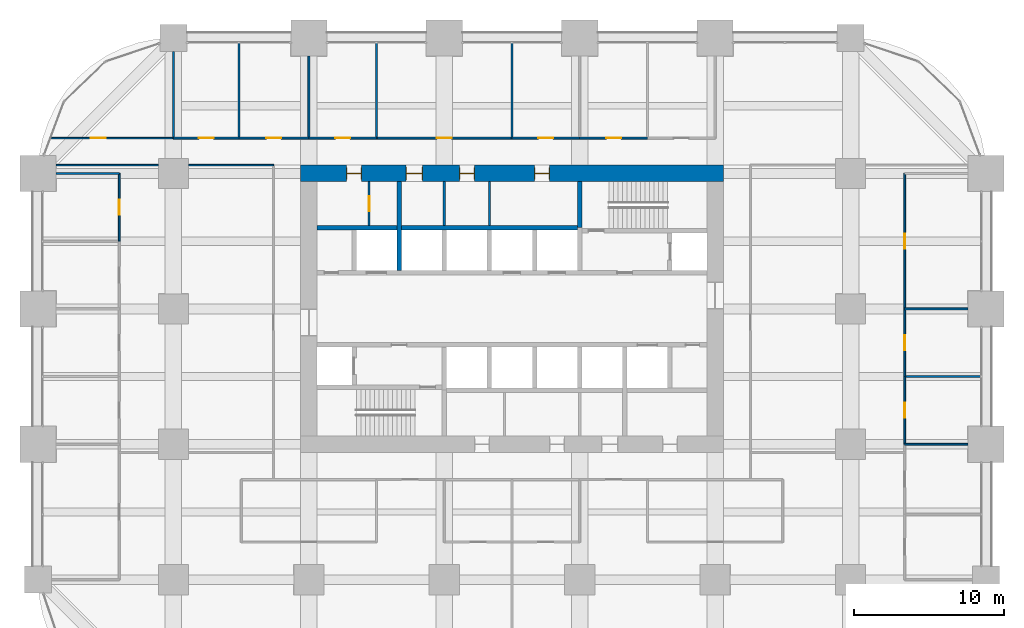
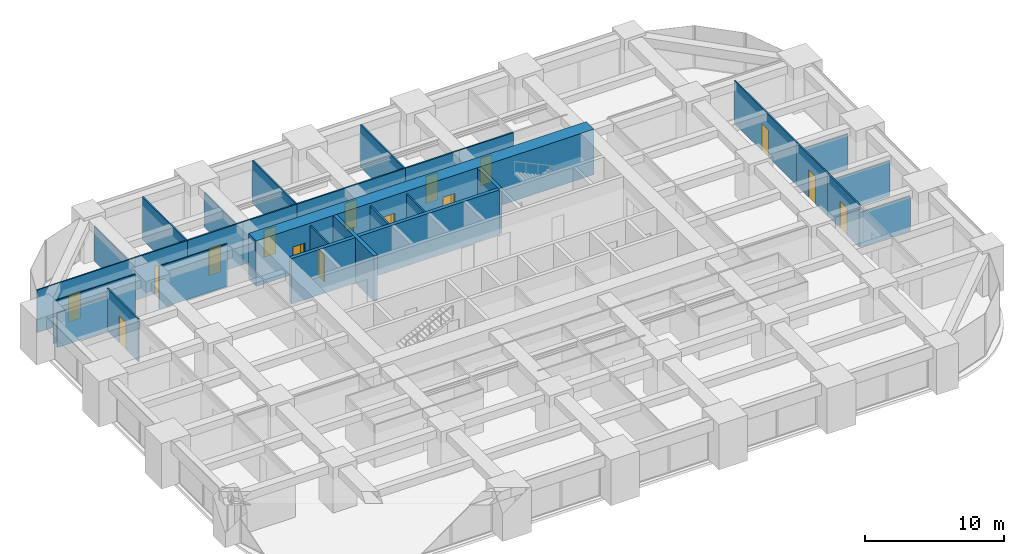
# One storey, part 38 of 41: 29 walls, 16 doors, 16 openings.
"""IFC4 building model written with IfcOpenShell, lengths in metres."""

from ifc_helpers import new_model, si_unit, direction, frame, frame_2d, origin, place, context, subcontext, project, spatial, rectangle, extrude, material, layer, layer_set, type_object, element, fill, save


model = new_model("IFC4")

# Units and contexts
model_context = context("Model", 3, precision=1e-05, world=origin(), true_north=direction((0.0, 1.0)))
body_context = subcontext(model_context, "Body", "Model", "MODEL_VIEW")
ifc_project = project(units=[si_unit("LENGTHUNIT", "METRE"), si_unit("AREAUNIT", "SQUARE_METRE"), si_unit("VOLUMEUNIT", "CUBIC_METRE"), si_unit("PLANEANGLEUNIT", "RADIAN"), si_unit("MASSUNIT", "GRAM", prefix="KILO")], contexts=[model_context])

# Site, building, storey
site_placement = place(None, origin())
site = spatial("IfcSite", under=ifc_project, at=site_placement, CompositionType="ELEMENT")
building_placement = place(site_placement, origin())
building = spatial("IfcBuilding", under=site, at=building_placement, Name="Zorevar Civic Tower", CompositionType="ELEMENT")
storey_placement = place(building_placement, frame((0.0, 0.0, 113.0)))
storey = spatial("IfcBuildingStorey", under=building, at=storey_placement, Name="L27", CompositionType="ELEMENT", Elevation=113.0)

# Wall, openings, doors
ifc_material_1 = material(Name="Concrete C50/60", Category="concrete")
ifc_layer_1 = layer(ifc_material_1, 1.10009765625)
ifc_layer_set_1 = layer_set([ifc_layer_1], Name="Core wall 1100")
wall_type_1 = type_object("IfcWallType", Name="Core wall 1100", PredefinedType="SHEAR", material=ifc_layer_set_1)
wall_1_placement = place(storey_placement, frame((45.550048828125, 36.0, 0.0), z_axis=(0.0, 0.0, 1.0), x_axis=(-1.0, 0.0, 0.0)))
wall_1 = element("IfcWall", 1, at=wall_1_placement, inside=storey, type_object=wall_type_1, Name="Core wall N L27", PredefinedType="SHEAR", context=body_context, shape_type="SweptSolid", body=[
    extrude(rectangle(XDim=28.10009765625, YDim=1.10009765625, at=frame_2d((14.050048828125, 0.0))), origin(), (0.0, 0.0, 1.0), 4.0),
])
opening_1_placement = place(wall_1_placement, frame((11.550048828125, 0.0, 0.0)))
opening_1 = element("IfcOpeningElement", 2, at=opening_1_placement, cuts=wall_1, Name="Opening L27.07", PredefinedType="OPENING", context=body_context, shape_type="SweptSolid", body=[
    extrude(rectangle(XDim=1.0, YDim=2.39990234375, at=frame_2d((0.5, 1.199951171875))), frame((0.0, 0.56005859375, 0.0), z_axis=(0.0, -1.0, 0.0), x_axis=(1.0, 0.0, 0.0)), (0.0, 0.0, 1.0), 1.1201171875),
])
opening_2_placement = place(wall_1_placement, frame((16.550048828125, 0.0, 0.0)))
opening_2 = element("IfcOpeningElement", 3, at=opening_2_placement, cuts=wall_1, Name="Opening L27.08", PredefinedType="OPENING", context=body_context, shape_type="SweptSolid", body=[
    extrude(rectangle(XDim=1.0, YDim=2.39990234375, at=frame_2d((0.5, 1.199951171875))), frame((0.0, 0.56005859375, 0.0), z_axis=(0.0, -1.0, 0.0), x_axis=(1.0, 0.0, 0.0)), (0.0, 0.0, 1.0), 1.1201171875),
])
opening_3_placement = place(wall_1_placement, frame((20.0, 0.0, 0.0)))
opening_3 = element("IfcOpeningElement", 4, at=opening_3_placement, cuts=wall_1, Name="Opening L27.09", PredefinedType="OPENING", context=body_context, shape_type="SweptSolid", body=[
    extrude(rectangle(XDim=1.10009765625, YDim=2.39990234375, at=frame_2d((0.550048828125, 1.199951171875))), frame((0.0, 0.56005859375, 0.0), z_axis=(0.0, -1.0, 0.0), x_axis=(1.0, 0.0, 0.0)), (0.0, 0.0, 1.0), 1.1201171875),
])
opening_4_placement = place(wall_1_placement, frame((24.050048828125, 0.0, 0.0)))
opening_4 = element("IfcOpeningElement", 5, at=opening_4_placement, cuts=wall_1, Name="Opening L27.10", PredefinedType="OPENING", context=body_context, shape_type="SweptSolid", body=[
    extrude(rectangle(XDim=1.0, YDim=2.39990234375, at=frame_2d((0.5, 1.199951171875))), frame((0.0, 0.56005859375, 0.0), z_axis=(0.0, -1.0, 0.0), x_axis=(1.0, 0.0, 0.0)), (0.0, 0.0, 1.0), 1.1201171875),
])
ifc_material_2 = material(Name="Timber door set", Category="wood")
door_type_1 = type_object("IfcDoorType", Name="Door D1 1000x2400", OperationType="SINGLE_SWING_LEFT", PredefinedType="DOOR", material=ifc_material_2)
door_1_placement = place(opening_1_placement, origin())
door_1 = element("IfcDoor", 6, at=door_1_placement, inside=storey, type_object=door_type_1, Name="Door L27 06", OperationType="SINGLE_SWING_LEFT", OverallHeight=2.39990234375, OverallWidth=1.0, PredefinedType="DOOR", context=body_context, shape_type="SweptSolid", body=[
    extrude(rectangle(XDim=1.0, YDim=2.39990234375, at=frame_2d((0.5, 1.199951171875))), frame((0.0, 0.02490234375, 0.0), z_axis=(0.0, -1.0, 0.0), x_axis=(1.0, 0.0, 0.0)), (0.0, 0.0, 1.0), 0.050048828125),
    extrude(rectangle(XDim=0.04, YDim=2.39990234375, at=frame_2d((0.02001953125, 1.199951171875))), frame((0.0, 0.39990234375, 0.0), z_axis=(0.0, -1.0, 0.0), x_axis=(1.0, 0.0, 0.0)), (0.0, 0.0, 1.0), 0.800048828125),
    extrude(rectangle(XDim=0.04, YDim=2.39990234375, at=frame_2d((0.97998046875, 1.199951171875))), frame((0.0, 0.39990234375, 0.0), z_axis=(0.0, -1.0, 0.0), x_axis=(1.0, 0.0, 0.0)), (0.0, 0.0, 1.0), 0.800048828125),
    extrude(rectangle(XDim=1.0, YDim=0.04, at=frame_2d((0.5, 2.3798828125))), frame((0.0, 0.39990234375, 0.0), z_axis=(0.0, -1.0, 0.0), x_axis=(1.0, 0.0, 0.0)), (0.0, 0.0, 1.0), 0.800048828125),
])
fill(opening_1, door_1)
door_2_placement = place(opening_2_placement, origin())
door_2 = element("IfcDoor", 7, at=door_2_placement, inside=storey, type_object=door_type_1, Name="Door L27 07", OperationType="SINGLE_SWING_RIGHT", OverallHeight=2.39990234375, OverallWidth=1.0, PredefinedType="DOOR", context=body_context, shape_type="SweptSolid", body=[
    extrude(rectangle(XDim=1.0, YDim=2.39990234375, at=frame_2d((0.5, 1.199951171875))), frame((0.0, 0.02490234375, 0.0), z_axis=(0.0, -1.0, 0.0), x_axis=(1.0, 0.0, 0.0)), (0.0, 0.0, 1.0), 0.050048828125),
    extrude(rectangle(XDim=0.04, YDim=2.39990234375, at=frame_2d((0.02001953125, 1.199951171875))), frame((0.0, 0.39990234375, 0.0), z_axis=(0.0, -1.0, 0.0), x_axis=(1.0, 0.0, 0.0)), (0.0, 0.0, 1.0), 0.800048828125),
    extrude(rectangle(XDim=0.04, YDim=2.39990234375, at=frame_2d((0.97998046875, 1.199951171875))), frame((0.0, 0.39990234375, 0.0), z_axis=(0.0, -1.0, 0.0), x_axis=(1.0, 0.0, 0.0)), (0.0, 0.0, 1.0), 0.800048828125),
    extrude(rectangle(XDim=1.0, YDim=0.04, at=frame_2d((0.5, 2.3798828125))), frame((0.0, 0.39990234375, 0.0), z_axis=(0.0, -1.0, 0.0), x_axis=(1.0, 0.0, 0.0)), (0.0, 0.0, 1.0), 0.800048828125),
])
fill(opening_2, door_2)
door_3_placement = place(opening_4_placement, origin())
door_3 = element("IfcDoor", 8, at=door_3_placement, inside=storey, type_object=door_type_1, Name="Door L27 09", OperationType="SINGLE_SWING_RIGHT", OverallHeight=2.39990234375, OverallWidth=1.0, PredefinedType="DOOR", context=body_context, shape_type="SweptSolid", body=[
    extrude(rectangle(XDim=1.0, YDim=2.39990234375, at=frame_2d((0.5, 1.199951171875))), frame((0.0, 0.02490234375, 0.0), z_axis=(0.0, -1.0, 0.0), x_axis=(1.0, 0.0, 0.0)), (0.0, 0.0, 1.0), 0.050048828125),
    extrude(rectangle(XDim=0.04, YDim=2.39990234375, at=frame_2d((0.02001953125, 1.199951171875))), frame((0.0, 0.39990234375, 0.0), z_axis=(0.0, -1.0, 0.0), x_axis=(1.0, 0.0, 0.0)), (0.0, 0.0, 1.0), 0.800048828125),
    extrude(rectangle(XDim=0.04, YDim=2.39990234375, at=frame_2d((0.97998046875, 1.199951171875))), frame((0.0, 0.39990234375, 0.0), z_axis=(0.0, -1.0, 0.0), x_axis=(1.0, 0.0, 0.0)), (0.0, 0.0, 1.0), 0.800048828125),
    extrude(rectangle(XDim=1.0, YDim=0.04, at=frame_2d((0.5, 2.3798828125))), frame((0.0, 0.39990234375, 0.0), z_axis=(0.0, -1.0, 0.0), x_axis=(1.0, 0.0, 0.0)), (0.0, 0.0, 1.0), 0.800048828125),
])
fill(opening_4, door_3)
ifc_material_3 = material(Name="Timber door set", Category="wood")
door_type_2 = type_object("IfcDoorType", Name="Door D5 1100x2400", OperationType="SINGLE_SWING_LEFT", PredefinedType="DOOR", material=ifc_material_3)
door_4_placement = place(opening_3_placement, origin())
door_4 = element("IfcDoor", 9, at=door_4_placement, inside=storey, type_object=door_type_2, Name="Door L27 08", OperationType="SINGLE_SWING_RIGHT", OverallHeight=2.39990234375, OverallWidth=1.10009765625, PredefinedType="DOOR", context=body_context, shape_type="SweptSolid", body=[
    extrude(rectangle(XDim=1.10009765625, YDim=2.39990234375, at=frame_2d((0.550048828125, 1.199951171875))), frame((0.0, 0.02490234375, 0.0), z_axis=(0.0, -1.0, 0.0), x_axis=(1.0, 0.0, 0.0)), (0.0, 0.0, 1.0), 0.050048828125),
    extrude(rectangle(XDim=0.04, YDim=2.39990234375, at=frame_2d((0.02001953125, 1.199951171875))), frame((0.0, 0.43994140625, 0.0), z_axis=(0.0, -1.0, 0.0), x_axis=(1.0, 0.0, 0.0)), (0.0, 0.0, 1.0), 0.880126953125),
    extrude(rectangle(XDim=0.04, YDim=2.39990234375, at=frame_2d((1.080078125, 1.199951171875))), frame((0.0, 0.43994140625, 0.0), z_axis=(0.0, -1.0, 0.0), x_axis=(1.0, 0.0, 0.0)), (0.0, 0.0, 1.0), 0.880126953125),
    extrude(rectangle(XDim=1.10009765625, YDim=0.04, at=frame_2d((0.550048828125, 2.3798828125))), frame((0.0, 0.43994140625, 0.0), z_axis=(0.0, -1.0, 0.0), x_axis=(1.0, 0.0, 0.0)), (0.0, 0.0, 1.0), 0.880126953125),
])
fill(opening_3, door_4)

# Walls
ifc_material_4 = material(Name="Laminated glass in black aluminium frame", Category="aluminium")
ifc_layer_2 = layer(ifc_material_4, 0.10009765625)
ifc_layer_set_2 = layer_set([ifc_layer_2], Name="Glazed partition 100")
wall_type_2 = type_object("IfcWallType", Name="Glazed partition 100", PredefinedType="PARTITIONING", material=ifc_layer_set_2)
wall_2_placement = place(storey_placement, frame((1.199951171875, 36.550048828125, 0.0), z_axis=(0.0, 0.0, 1.0), x_axis=(1.0, 0.0, 0.0)))
element("IfcWall", 10, at=wall_2_placement, inside=storey, type_object=wall_type_2, Name="Glazed partition 100 L27", PredefinedType="PARTITIONING", context=body_context, shape_type="SweptSolid", body=[
    extrude(rectangle(XDim=6.800048828125, YDim=0.10009765625, at=frame_2d((3.39990234375, 0.0))), origin(), (0.0, 0.0, 1.0), 3.75),
])
wall_3_placement = place(storey_placement, frame((10.0, 36.550048828125, 0.0), z_axis=(0.0, 0.0, 1.0), x_axis=(1.0, 0.0, 0.0)))
element("IfcWall", 11, at=wall_3_placement, inside=storey, type_object=wall_type_2, Name="Glazed partition 100 L27", PredefinedType="PARTITIONING", context=body_context, shape_type="SweptSolid", body=[
    extrude(rectangle(XDim=5.64990234375, YDim=0.10009765625, at=frame_2d((2.824951171875, 0.0))), origin(), (0.0, 0.0, 1.0), 3.75),
])

# Wall, opening, door
wall_4_placement = place(storey_placement, frame((0.851806640625, 38.35009765625, 0.0), z_axis=(0.0, 0.0, 1.0), x_axis=(1.0, 0.0, 0.0)))
wall_4 = element("IfcWall", 12, at=wall_4_placement, inside=storey, type_object=wall_type_2, Name="Glazed partition 100 L27", PredefinedType="PARTITIONING", context=body_context, shape_type="SweptSolid", body=[
    extrude(rectangle(XDim=8.148193359375, YDim=0.10009765625, at=frame_2d((4.07421875, 0.0))), origin(), (0.0, 0.0, 1.0), 3.75),
])
opening_5_placement = place(wall_4_placement, frame((2.648193359375, 0.0, 0.0)))
opening_5 = element("IfcOpeningElement", 13, at=opening_5_placement, cuts=wall_4, Name="Opening L27.30", PredefinedType="OPENING", context=body_context, shape_type="SweptSolid", body=[
    extrude(rectangle(XDim=1.0, YDim=2.39990234375, at=frame_2d((0.5, 1.199951171875))), frame((0.0, 0.06005859375, 0.0), z_axis=(0.0, -1.0, 0.0), x_axis=(1.0, 0.0, 0.0)), (0.0, 0.0, 1.0), 0.1201171875),
])
ifc_material_5 = material(Name="Timber door set", Category="wood")
door_type_3 = type_object("IfcDoorType", Name="Glazed door GD1 1000x2400", OperationType="SINGLE_SWING_LEFT", PredefinedType="DOOR", material=ifc_material_5)
door_5_placement = place(opening_5_placement, origin())
door_5 = element("IfcDoor", 14, at=door_5_placement, inside=storey, type_object=door_type_3, Name="Door L27 D1", OperationType="SINGLE_SWING_LEFT", OverallHeight=2.39990234375, OverallWidth=1.0, PredefinedType="DOOR", context=body_context, shape_type="SweptSolid", body=[
    extrude(rectangle(XDim=1.0, YDim=2.39990234375, at=frame_2d((0.5, 1.199951171875))), frame((0.0, 0.02001953125, 0.0), z_axis=(0.0, -1.0, 0.0), x_axis=(1.0, 0.0, 0.0)), (0.0, 0.0, 1.0), 0.0400390625),
])
fill(opening_5, door_5)

# Walls
ifc_material_6 = material(Name="Concrete C40/50", Category="concrete")
ifc_layer_3 = layer(ifc_material_6, 0.300048828125)
ifc_layer_set_3 = layer_set([ifc_layer_3], Name="Inner core wall 300")
wall_type_3 = type_object("IfcWallType", Name="Inner core wall 300", PredefinedType="SHEAR", material=ifc_layer_set_3)
wall_5_placement = place(storey_placement, frame((36.0, 32.39990234375, 0.0), z_axis=(0.0, 0.0, 1.0), x_axis=(0.0, 1.0, 0.0)))
element("IfcWall", 15, at=wall_5_placement, inside=storey, type_object=wall_type_3, Name="Inner core wall N01 L27", PredefinedType="SHEAR", context=body_context, shape_type="SweptSolid", body=[
    extrude(rectangle(XDim=3.050048828125, YDim=0.300048828125, at=frame_2d((1.52490234375, 0.0))), origin(), (0.0, 0.0, 1.0), 4.0),
])
wall_6_placement = place(storey_placement, frame((18.550048828125, 32.39990234375, 0.0), z_axis=(0.0, 0.0, 1.0), x_axis=(1.0, 0.0, 0.0)))
element("IfcWall", 16, at=wall_6_placement, inside=storey, type_object=wall_type_3, Name="Inner core wall N04 L27", PredefinedType="SHEAR", context=body_context, shape_type="SweptSolid", body=[
    extrude(rectangle(XDim=17.300048828125, YDim=0.300048828125, at=frame_2d((8.64990234375, 0.0))), origin(), (0.0, 0.0, 1.0), 4.0),
])
wall_7_placement = place(storey_placement, frame((24.0, 29.550048828125, 0.0), z_axis=(0.0, 0.0, 1.0), x_axis=(0.0, 1.0, 0.0)))
element("IfcWall", 17, at=wall_7_placement, inside=storey, type_object=wall_type_3, Name="Inner core wall N08 L27", PredefinedType="SHEAR", context=body_context, shape_type="SweptSolid", body=[
    extrude(rectangle(XDim=5.89990234375, YDim=0.300048828125, at=frame_2d((2.949951171875, 0.0))), origin(), (0.0, 0.0, 1.0), 4.0),
])
ifc_material_7 = material(Name="Gypsum board on steel studs", Category="steel")
ifc_layer_4 = layer(ifc_material_7, 0.1201171875)
ifc_layer_set_4 = layer_set([ifc_layer_4], Name="Partition 120")
wall_type_4 = type_object("IfcWallType", Name="Partition 120", PredefinedType="PARTITIONING", material=ifc_layer_set_4)
wall_8_placement = place(storey_placement, frame((57.60009765625, 18.0, 0.0), z_axis=(0.0, 0.0, 1.0), x_axis=(1.0, 0.0, 0.0)))
element("IfcWall", 18, at=wall_8_placement, inside=storey, type_object=wall_type_4, Name="Partition 120 L27", PredefinedType="PARTITIONING", context=body_context, shape_type="SweptSolid", body=[
    extrude(rectangle(XDim=4.199951171875, YDim=0.1201171875, at=frame_2d((2.10009765625, 0.0))), origin(), (0.0, 0.0, 1.0), 3.050048828125),
])
wall_9_placement = place(storey_placement, frame((57.60009765625, 22.5, 0.0), z_axis=(0.0, 0.0, 1.0), x_axis=(1.0, 0.0, 0.0)))
element("IfcWall", 19, at=wall_9_placement, inside=storey, type_object=wall_type_4, Name="Partition 120 L27", PredefinedType="PARTITIONING", context=body_context, shape_type="SweptSolid", body=[
    extrude(rectangle(XDim=5.08984375, YDim=0.1201171875, at=frame_2d((2.544921875, 0.0))), origin(), (0.0, 0.0, 1.0), 3.10009765625),
])
for number, where, z_axis, x_axis, name in (
    (20, (57.60009765625, 27.0, 0.0), (0.0, 0.0, 1.0), (1.0, 0.0, 0.0), "Partition 120 L27"),
    (21, (1.199951171875, 36.0, 0.0), (0.0, 0.0, 1.0), (1.0, 0.0, 0.0), "Partition 120 L27"),
):
    element("IfcWall", number, at=place(storey_placement, frame(where, z_axis=z_axis, x_axis=x_axis)), inside=storey, type_object=wall_type_4, Name=name, PredefinedType="PARTITIONING", context=body_context, shape_type="SweptSolid", body=[
        extrude(rectangle(XDim=4.199951171875, YDim=0.1201171875, at=frame_2d((2.10009765625, 0.0))), origin(), (0.0, 0.0, 1.0), 3.050048828125),
    ])

# Wall, opening, door
wall_10_placement = place(storey_placement, frame((9.0, 38.35009765625, 0.0), z_axis=(0.0, 0.0, 1.0), x_axis=(1.0, 0.0, 0.0)))
wall_10 = element("IfcWall", 22, at=wall_10_placement, inside=storey, type_object=wall_type_4, Name="Partition 120 L27", PredefinedType="PARTITIONING", context=body_context, shape_type="SweptSolid", body=[
    extrude(rectangle(XDim=4.35009765625, YDim=0.1201171875, at=frame_2d((2.175048828125, 0.0))), origin(), (0.0, 0.0, 1.0), 3.75),
])
opening_6_placement = place(wall_10_placement, frame((1.675048828125, 0.0, 0.0)))
opening_6 = element("IfcOpeningElement", 23, at=opening_6_placement, cuts=wall_10, Name="Opening L27.23", PredefinedType="OPENING", context=body_context, shape_type="SweptSolid", body=[
    extrude(rectangle(XDim=1.0, YDim=2.39990234375, at=frame_2d((0.5, 1.199951171875))), frame((0.0, 0.070068359375, 0.0), z_axis=(0.0, -1.0, 0.0), x_axis=(1.0, 0.0, 0.0)), (0.0, 0.0, 1.0), 0.14013671875),
])
door_6_placement = place(opening_6_placement, origin())
door_6 = element("IfcDoor", 24, at=door_6_placement, inside=storey, type_object=door_type_1, Name="Door L27 D1", OperationType="SINGLE_SWING_LEFT", OverallHeight=2.39990234375, OverallWidth=1.0, PredefinedType="DOOR", context=body_context, shape_type="SweptSolid", body=[
    extrude(rectangle(XDim=1.0, YDim=2.39990234375, at=frame_2d((0.5, 1.199951171875))), frame((0.0, 0.02490234375, 0.0), z_axis=(0.0, -1.0, 0.0), x_axis=(1.0, 0.0, 0.0)), (0.0, 0.0, 1.0), 0.050048828125),
])
fill(opening_6, door_6)

wall_11_placement = place(storey_placement, frame((13.35009765625, 38.35009765625, 0.0), z_axis=(0.0, 0.0, 1.0), x_axis=(1.0, 0.0, 0.0)))
wall_11 = element("IfcWall", 25, at=wall_11_placement, inside=storey, type_object=wall_type_4, Name="Partition 120 L27", PredefinedType="PARTITIONING", context=body_context, shape_type="SweptSolid", body=[
    extrude(rectangle(XDim=4.64990234375, YDim=0.1201171875, at=frame_2d((2.324951171875, 0.0))), origin(), (0.0, 0.0, 1.0), 3.75),
])
opening_7_placement = place(wall_11_placement, frame((1.824951171875, 0.0, 0.0)))
opening_7 = element("IfcOpeningElement", 26, at=opening_7_placement, cuts=wall_11, Name="Opening L27.24", PredefinedType="OPENING", context=body_context, shape_type="SweptSolid", body=[
    extrude(rectangle(XDim=1.0, YDim=2.39990234375, at=frame_2d((0.5, 1.199951171875))), frame((0.0, 0.070068359375, 0.0), z_axis=(0.0, -1.0, 0.0), x_axis=(1.0, 0.0, 0.0)), (0.0, 0.0, 1.0), 0.14013671875),
])
door_7_placement = place(opening_7_placement, origin())
door_7 = element("IfcDoor", 27, at=door_7_placement, inside=storey, type_object=door_type_1, Name="Door L27 D1", OperationType="SINGLE_SWING_LEFT", OverallHeight=2.39990234375, OverallWidth=1.0, PredefinedType="DOOR", context=body_context, shape_type="SweptSolid", body=[
    extrude(rectangle(XDim=1.0, YDim=2.39990234375, at=frame_2d((0.5, 1.199951171875))), frame((0.0, 0.02490234375, 0.0), z_axis=(0.0, -1.0, 0.0), x_axis=(1.0, 0.0, 0.0)), (0.0, 0.0, 1.0), 0.050048828125),
])
fill(opening_7, door_7)

wall_12_placement = place(storey_placement, frame((18.0, 38.35009765625, 0.0), z_axis=(0.0, 0.0, 1.0), x_axis=(1.0, 0.0, 0.0)))
wall_12 = element("IfcWall", 28, at=wall_12_placement, inside=storey, type_object=wall_type_4, Name="Partition 120 L27", PredefinedType="PARTITIONING", context=body_context, shape_type="SweptSolid", body=[
    extrude(rectangle(XDim=4.5, YDim=0.1201171875, at=frame_2d((2.25, 0.0))), origin(), (0.0, 0.0, 1.0), 3.75),
])
opening_8_placement = place(wall_12_placement, frame((1.75, 0.0, 0.0)))
opening_8 = element("IfcOpeningElement", 29, at=opening_8_placement, cuts=wall_12, Name="Opening L27.25", PredefinedType="OPENING", context=body_context, shape_type="SweptSolid", body=[
    extrude(rectangle(XDim=1.0, YDim=2.39990234375, at=frame_2d((0.5, 1.199951171875))), frame((0.0, 0.070068359375, 0.0), z_axis=(0.0, -1.0, 0.0), x_axis=(1.0, 0.0, 0.0)), (0.0, 0.0, 1.0), 0.14013671875),
])
door_8_placement = place(opening_8_placement, origin())
door_8 = element("IfcDoor", 30, at=door_8_placement, inside=storey, type_object=door_type_1, Name="Door L27 D1", OperationType="SINGLE_SWING_LEFT", OverallHeight=2.39990234375, OverallWidth=1.0, PredefinedType="DOOR", context=body_context, shape_type="SweptSolid", body=[
    extrude(rectangle(XDim=1.0, YDim=2.39990234375, at=frame_2d((0.5, 1.199951171875))), frame((0.0, 0.02490234375, 0.0), z_axis=(0.0, -1.0, 0.0), x_axis=(1.0, 0.0, 0.0)), (0.0, 0.0, 1.0), 0.050048828125),
])
fill(opening_8, door_8)

wall_13_placement = place(storey_placement, frame((22.5, 38.35009765625, 0.0), z_axis=(0.0, 0.0, 1.0), x_axis=(1.0, 0.0, 0.0)))
wall_13 = element("IfcWall", 31, at=wall_13_placement, inside=storey, type_object=wall_type_4, Name="Partition 120 L27", PredefinedType="PARTITIONING", context=body_context, shape_type="SweptSolid", body=[
    extrude(rectangle(XDim=9.0, YDim=0.1201171875, at=frame_2d((4.5, 0.0))), origin(), (0.0, 0.0, 1.0), 3.75),
])
opening_9_placement = place(wall_13_placement, frame((4.0, 0.0, 0.0)))
opening_9 = element("IfcOpeningElement", 32, at=opening_9_placement, cuts=wall_13, Name="Opening L27.26", PredefinedType="OPENING", context=body_context, shape_type="SweptSolid", body=[
    extrude(rectangle(XDim=1.0, YDim=2.39990234375, at=frame_2d((0.5, 1.199951171875))), frame((0.0, 0.070068359375, 0.0), z_axis=(0.0, -1.0, 0.0), x_axis=(1.0, 0.0, 0.0)), (0.0, 0.0, 1.0), 0.14013671875),
])
door_9_placement = place(opening_9_placement, origin())
door_9 = element("IfcDoor", 33, at=door_9_placement, inside=storey, type_object=door_type_1, Name="Door L27 D1", OperationType="SINGLE_SWING_LEFT", OverallHeight=2.39990234375, OverallWidth=1.0, PredefinedType="DOOR", context=body_context, shape_type="SweptSolid", body=[
    extrude(rectangle(XDim=1.0, YDim=2.39990234375, at=frame_2d((0.5, 1.199951171875))), frame((0.0, 0.02490234375, 0.0), z_axis=(0.0, -1.0, 0.0), x_axis=(1.0, 0.0, 0.0)), (0.0, 0.0, 1.0), 0.050048828125),
])
fill(opening_9, door_9)

wall_14_placement = place(storey_placement, frame((31.5, 38.35009765625, 0.0), z_axis=(0.0, 0.0, 1.0), x_axis=(1.0, 0.0, 0.0)))
wall_14 = element("IfcWall", 34, at=wall_14_placement, inside=storey, type_object=wall_type_4, Name="Partition 120 L27", PredefinedType="PARTITIONING", context=body_context, shape_type="SweptSolid", body=[
    extrude(rectangle(XDim=4.5, YDim=0.1201171875, at=frame_2d((2.25, 0.0))), origin(), (0.0, 0.0, 1.0), 3.75),
])
opening_10_placement = place(wall_14_placement, frame((1.75, 0.0, 0.0)))
opening_10 = element("IfcOpeningElement", 35, at=opening_10_placement, cuts=wall_14, Name="Opening L27.27", PredefinedType="OPENING", context=body_context, shape_type="SweptSolid", body=[
    extrude(rectangle(XDim=1.0, YDim=2.39990234375, at=frame_2d((0.5, 1.199951171875))), frame((0.0, 0.070068359375, 0.0), z_axis=(0.0, -1.0, 0.0), x_axis=(1.0, 0.0, 0.0)), (0.0, 0.0, 1.0), 0.14013671875),
])
door_10_placement = place(opening_10_placement, origin())
door_10 = element("IfcDoor", 36, at=door_10_placement, inside=storey, type_object=door_type_1, Name="Door L27 D1", OperationType="SINGLE_SWING_RIGHT", OverallHeight=2.39990234375, OverallWidth=1.0, PredefinedType="DOOR", context=body_context, shape_type="SweptSolid", body=[
    extrude(rectangle(XDim=1.0, YDim=2.39990234375, at=frame_2d((0.5, 1.199951171875))), frame((0.0, 0.02490234375, 0.0), z_axis=(0.0, -1.0, 0.0), x_axis=(1.0, 0.0, 0.0)), (0.0, 0.0, 1.0), 0.050048828125),
])
fill(opening_10, door_10)

wall_15_placement = place(storey_placement, frame((36.0, 38.35009765625, 0.0), z_axis=(0.0, 0.0, 1.0), x_axis=(1.0, 0.0, 0.0)))
wall_15 = element("IfcWall", 37, at=wall_15_placement, inside=storey, type_object=wall_type_4, Name="Partition 120 L27", PredefinedType="PARTITIONING", context=body_context, shape_type="SweptSolid", body=[
    extrude(rectangle(XDim=4.5, YDim=0.1201171875, at=frame_2d((2.25, 0.0))), origin(), (0.0, 0.0, 1.0), 3.75),
])
opening_11_placement = place(wall_15_placement, frame((1.75, 0.0, 0.0)))
opening_11 = element("IfcOpeningElement", 38, at=opening_11_placement, cuts=wall_15, Name="Opening L27.28", PredefinedType="OPENING", context=body_context, shape_type="SweptSolid", body=[
    extrude(rectangle(XDim=1.0, YDim=2.39990234375, at=frame_2d((0.5, 1.199951171875))), frame((0.0, 0.070068359375, 0.0), z_axis=(0.0, -1.0, 0.0), x_axis=(1.0, 0.0, 0.0)), (0.0, 0.0, 1.0), 0.14013671875),
])
door_11_placement = place(opening_11_placement, origin())
door_11 = element("IfcDoor", 39, at=door_11_placement, inside=storey, type_object=door_type_1, Name="Door L27 D1", OperationType="SINGLE_SWING_RIGHT", OverallHeight=2.39990234375, OverallWidth=1.0, PredefinedType="DOOR", context=body_context, shape_type="SweptSolid", body=[
    extrude(rectangle(XDim=1.0, YDim=2.39990234375, at=frame_2d((0.5, 1.199951171875))), frame((0.0, 0.02490234375, 0.0), z_axis=(0.0, -1.0, 0.0), x_axis=(1.0, 0.0, 0.0)), (0.0, 0.0, 1.0), 0.050048828125),
])
fill(opening_11, door_11)

wall_16_placement = place(storey_placement, frame((5.39990234375, 31.5, 0.0), z_axis=(0.0, 0.0, 1.0), x_axis=(0.0, 1.0, 0.0)))
wall_16 = element("IfcWall", 40, at=wall_16_placement, inside=storey, type_object=wall_type_4, Name="Partition 120 L27", PredefinedType="PARTITIONING", context=body_context, shape_type="SweptSolid", body=[
    extrude(rectangle(XDim=4.5, YDim=0.1201171875, at=frame_2d((2.25, 0.0))), origin(), (0.0, 0.0, 1.0), 3.75),
])
opening_12_placement = place(wall_16_placement, frame((1.75, 0.0, 0.0)))
opening_12 = element("IfcOpeningElement", 41, at=opening_12_placement, cuts=wall_16, Name="Opening L27.35", PredefinedType="OPENING", context=body_context, shape_type="SweptSolid", body=[
    extrude(rectangle(XDim=1.0, YDim=2.39990234375, at=frame_2d((0.5, 1.199951171875))), frame((0.0, 0.070068359375, 0.0), z_axis=(0.0, -1.0, 0.0), x_axis=(1.0, 0.0, 0.0)), (0.0, 0.0, 1.0), 0.14013671875),
])
door_12_placement = place(opening_12_placement, origin())
door_12 = element("IfcDoor", 42, at=door_12_placement, inside=storey, type_object=door_type_1, Name="Door L27 D1", OperationType="SINGLE_SWING_RIGHT", OverallHeight=2.39990234375, OverallWidth=1.0, PredefinedType="DOOR", context=body_context, shape_type="SweptSolid", body=[
    extrude(rectangle(XDim=1.0, YDim=2.39990234375, at=frame_2d((0.5, 1.199951171875))), frame((0.0, 0.02490234375, 0.0), z_axis=(0.0, -1.0, 0.0), x_axis=(1.0, 0.0, 0.0)), (0.0, 0.0, 1.0), 0.050048828125),
])
fill(opening_12, door_12)

# Walls
wall_17_placement = place(storey_placement, frame((9.0, 38.35009765625, 0.0), z_axis=(0.0, 0.0, 1.0), x_axis=(0.0, 1.0, 0.0)))
element("IfcWall", 43, at=wall_17_placement, inside=storey, type_object=wall_type_4, Name="Partition 120 L27", PredefinedType="PARTITIONING", context=body_context, shape_type="SweptSolid", body=[
    extrude(rectangle(XDim=5.75, YDim=0.1201171875, at=frame_2d((2.875, 0.0))), origin(), (0.0, 0.0, 1.0), 3.050048828125),
])
wall_18_placement = place(storey_placement, frame((13.35009765625, 38.35009765625, 0.0), z_axis=(0.0, 0.0, 1.0), x_axis=(0.0, 1.0, 0.0)))
element("IfcWall", 44, at=wall_18_placement, inside=storey, type_object=wall_type_4, Name="Partition 120 L27", PredefinedType="PARTITIONING", context=body_context, shape_type="SweptSolid", body=[
    extrude(rectangle(XDim=6.33984375, YDim=0.1201171875, at=frame_2d((3.169921875, 0.0))), origin(), (0.0, 0.0, 1.0), 3.75),
])
wall_19_placement = place(storey_placement, frame((18.0, 38.35009765625, 0.0), z_axis=(0.0, 0.0, 1.0), x_axis=(0.0, 1.0, 0.0)))
element("IfcWall", 45, at=wall_19_placement, inside=storey, type_object=wall_type_4, Name="Partition 120 L27", PredefinedType="PARTITIONING", context=body_context, shape_type="SweptSolid", body=[
    extrude(rectangle(XDim=5.449951171875, YDim=0.1201171875, at=frame_2d((2.72509765625, 0.0))), origin(), (0.0, 0.0, 1.0), 3.050048828125),
])
for number, where, z_axis, x_axis, name in (
    (46, (22.5, 38.35009765625, 0.0), (0.0, 0.0, 1.0), (0.0, 1.0, 0.0), "Partition 120 L27"),
    (47, (31.5, 38.35009765625, 0.0), (0.0, 0.0, 1.0), (0.0, 1.0, 0.0), "Partition 120 L27"),
):
    element("IfcWall", number, at=place(storey_placement, frame(where, z_axis=z_axis, x_axis=x_axis)), inside=storey, type_object=wall_type_4, Name=name, PredefinedType="PARTITIONING", context=body_context, shape_type="SweptSolid", body=[
        extrude(rectangle(XDim=6.33984375, YDim=0.1201171875, at=frame_2d((3.169921875, 0.0))), origin(), (0.0, 0.0, 1.0), 3.75),
    ])

# Wall, opening, door
wall_20_placement = place(storey_placement, frame((57.60009765625, 18.0, 0.0), z_axis=(0.0, 0.0, 1.0), x_axis=(0.0, 1.0, 0.0)))
wall_20 = element("IfcWall", 48, at=wall_20_placement, inside=storey, type_object=wall_type_4, Name="Partition 120 L27", PredefinedType="PARTITIONING", context=body_context, shape_type="SweptSolid", body=[
    extrude(rectangle(XDim=4.5, YDim=0.1201171875, at=frame_2d((2.25, 0.0))), origin(), (0.0, 0.0, 1.0), 3.75),
])
opening_13_placement = place(wall_20_placement, frame((1.75, 0.0, 0.0)))
opening_13 = element("IfcOpeningElement", 49, at=opening_13_placement, cuts=wall_20, Name="Opening L27.40", PredefinedType="OPENING", context=body_context, shape_type="SweptSolid", body=[
    extrude(rectangle(XDim=1.0, YDim=2.39990234375, at=frame_2d((0.5, 1.199951171875))), frame((0.0, 0.070068359375, 0.0), z_axis=(0.0, -1.0, 0.0), x_axis=(1.0, 0.0, 0.0)), (0.0, 0.0, 1.0), 0.14013671875),
])
door_13_placement = place(opening_13_placement, origin())
door_13 = element("IfcDoor", 50, at=door_13_placement, inside=storey, type_object=door_type_1, Name="Door L27 D1", OperationType="SINGLE_SWING_RIGHT", OverallHeight=2.39990234375, OverallWidth=1.0, PredefinedType="DOOR", context=body_context, shape_type="SweptSolid", body=[
    extrude(rectangle(XDim=1.0, YDim=2.39990234375, at=frame_2d((0.5, 1.199951171875))), frame((0.0, 0.02490234375, 0.0), z_axis=(0.0, -1.0, 0.0), x_axis=(1.0, 0.0, 0.0)), (0.0, 0.0, 1.0), 0.050048828125),
])
fill(opening_13, door_13)

wall_21_placement = place(storey_placement, frame((57.60009765625, 22.5, 0.0), z_axis=(0.0, 0.0, 1.0), x_axis=(0.0, 1.0, 0.0)))
wall_21 = element("IfcWall", 51, at=wall_21_placement, inside=storey, type_object=wall_type_4, Name="Partition 120 L27", PredefinedType="PARTITIONING", context=body_context, shape_type="SweptSolid", body=[
    extrude(rectangle(XDim=4.5, YDim=0.1201171875, at=frame_2d((2.25, 0.0))), origin(), (0.0, 0.0, 1.0), 3.75),
])
opening_14_placement = place(wall_21_placement, frame((1.75, 0.0, 0.0)))
opening_14 = element("IfcOpeningElement", 52, at=opening_14_placement, cuts=wall_21, Name="Opening L27.41", PredefinedType="OPENING", context=body_context, shape_type="SweptSolid", body=[
    extrude(rectangle(XDim=1.0, YDim=2.39990234375, at=frame_2d((0.5, 1.199951171875))), frame((0.0, 0.070068359375, 0.0), z_axis=(0.0, -1.0, 0.0), x_axis=(1.0, 0.0, 0.0)), (0.0, 0.0, 1.0), 0.14013671875),
])
door_14_placement = place(opening_14_placement, origin())
door_14 = element("IfcDoor", 53, at=door_14_placement, inside=storey, type_object=door_type_1, Name="Door L27 D1", OperationType="SINGLE_SWING_RIGHT", OverallHeight=2.39990234375, OverallWidth=1.0, PredefinedType="DOOR", context=body_context, shape_type="SweptSolid", body=[
    extrude(rectangle(XDim=1.0, YDim=2.39990234375, at=frame_2d((0.5, 1.199951171875))), frame((0.0, 0.02490234375, 0.0), z_axis=(0.0, -1.0, 0.0), x_axis=(1.0, 0.0, 0.0)), (0.0, 0.0, 1.0), 0.050048828125),
])
fill(opening_14, door_14)

wall_22_placement = place(storey_placement, frame((57.60009765625, 27.0, 0.0), z_axis=(0.0, 0.0, 1.0), x_axis=(0.0, 1.0, 0.0)))
wall_22 = element("IfcWall", 54, at=wall_22_placement, inside=storey, type_object=wall_type_4, Name="Partition 120 L27", PredefinedType="PARTITIONING", context=body_context, shape_type="SweptSolid", body=[
    extrude(rectangle(XDim=9.0, YDim=0.1201171875, at=frame_2d((4.5, 0.0))), origin(), (0.0, 0.0, 1.0), 3.75),
])
opening_15_placement = place(wall_22_placement, frame((4.0, 0.0, 0.0)))
opening_15 = element("IfcOpeningElement", 55, at=opening_15_placement, cuts=wall_22, Name="Opening L27.42", PredefinedType="OPENING", context=body_context, shape_type="SweptSolid", body=[
    extrude(rectangle(XDim=1.0, YDim=2.39990234375, at=frame_2d((0.5, 1.199951171875))), frame((0.0, 0.070068359375, 0.0), z_axis=(0.0, -1.0, 0.0), x_axis=(1.0, 0.0, 0.0)), (0.0, 0.0, 1.0), 0.14013671875),
])
door_15_placement = place(opening_15_placement, origin())
door_15 = element("IfcDoor", 56, at=door_15_placement, inside=storey, type_object=door_type_1, Name="Door L27 D1", OperationType="SINGLE_SWING_LEFT", OverallHeight=2.39990234375, OverallWidth=1.0, PredefinedType="DOOR", context=body_context, shape_type="SweptSolid", body=[
    extrude(rectangle(XDim=1.0, YDim=2.39990234375, at=frame_2d((0.5, 1.199951171875))), frame((0.0, 0.02490234375, 0.0), z_axis=(0.0, -1.0, 0.0), x_axis=(1.0, 0.0, 0.0)), (0.0, 0.0, 1.0), 0.050048828125),
])
fill(opening_15, door_15)

# Wall
wall_23_placement = place(storey_placement, frame((30.0, 32.550048828125, 0.0), z_axis=(0.0, 0.0, 1.0), x_axis=(0.0, 1.0, 0.0)))
element("IfcWall", 57, at=wall_23_placement, inside=storey, type_object=wall_type_4, Name="Partition L27", PredefinedType="PARTITIONING", context=body_context, shape_type="SweptSolid", body=[
    extrude(rectangle(XDim=2.89990234375, YDim=0.1201171875, at=frame_2d((1.449951171875, 0.0))), origin(), (0.0, 0.0, 1.0), 3.75),
])

# Wall, opening, door
wall_24_placement = place(storey_placement, frame((22.0, 32.550048828125, 0.0), z_axis=(0.0, 0.0, 1.0), x_axis=(0.0, 1.0, 0.0)))
wall_24 = element("IfcWall", 58, at=wall_24_placement, inside=storey, type_object=wall_type_4, Name="Partition L27", PredefinedType="PARTITIONING", context=body_context, shape_type="SweptSolid", body=[
    extrude(rectangle(XDim=2.89990234375, YDim=0.1201171875, at=frame_2d((1.449951171875, 0.0))), origin(), (0.0, 0.0, 1.0), 3.75),
])
opening_16_placement = place(wall_24_placement, frame((0.949951171875, 0.0, 0.0)))
opening_16 = element("IfcOpeningElement", 59, at=opening_16_placement, cuts=wall_24, Name="Opening L27.43", PredefinedType="OPENING", context=body_context, shape_type="SweptSolid", body=[
    extrude(rectangle(XDim=1.0, YDim=2.39990234375, at=frame_2d((0.5, 1.199951171875))), frame((0.0, 0.070068359375, 0.0), z_axis=(0.0, -1.0, 0.0), x_axis=(1.0, 0.0, 0.0)), (0.0, 0.0, 1.0), 0.14013671875),
])
ifc_material_8 = material(Name="Steel door set", Category="steel")
door_type_4 = type_object("IfcDoorType", Name="Fire door FD1 1000x2400", OperationType="SINGLE_SWING_LEFT", PredefinedType="DOOR", material=ifc_material_8)
door_16_placement = place(opening_16_placement, origin())
door_16 = element("IfcDoor", 60, at=door_16_placement, inside=storey, type_object=door_type_4, Name="Door L27 EN", OperationType="SINGLE_SWING_RIGHT", OverallHeight=2.39990234375, OverallWidth=1.0, PredefinedType="DOOR", context=body_context, shape_type="SweptSolid", body=[
    extrude(rectangle(XDim=1.0, YDim=2.39990234375, at=frame_2d((0.5, 1.199951171875))), frame((0.0, 0.030029296875, 0.0), z_axis=(0.0, -1.0, 0.0), x_axis=(1.0, 0.0, 0.0)), (0.0, 0.0, 1.0), 0.06005859375),
])
fill(opening_16, door_16)

# Wall
ifc_material_9 = material(Name="Gypsum board on steel studs, moisture resistant", Category="steel")
ifc_layer_5 = layer(ifc_material_9, 0.14990234375)
ifc_layer_set_5 = layer_set([ifc_layer_5], Name="WC partition 150")
wall_type_5 = type_object("IfcWallType", Name="WC partition 150", PredefinedType="PARTITIONING", material=ifc_layer_set_5)
wall_25_placement = place(storey_placement, frame((27.0, 32.550048828125, 0.0), z_axis=(0.0, 0.0, 1.0), x_axis=(0.0, 1.0, 0.0)))
element("IfcWall", 61, at=wall_25_placement, inside=storey, type_object=wall_type_5, Name="WC partition L27", PredefinedType="PARTITIONING", context=body_context, shape_type="SweptSolid", body=[
    extrude(rectangle(XDim=2.89990234375, YDim=0.14990234375, at=frame_2d((1.449951171875, 0.0))), origin(), (0.0, 0.0, 1.0), 3.75),
])

save(model, "model.ifc")
